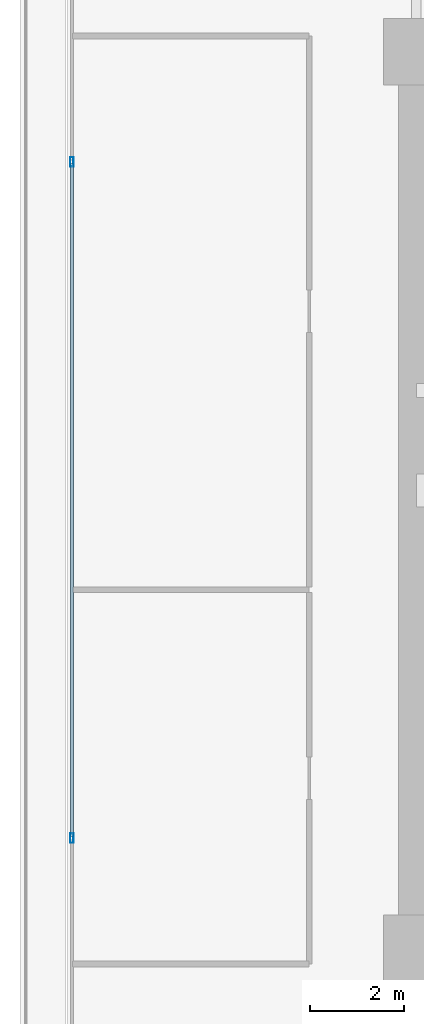
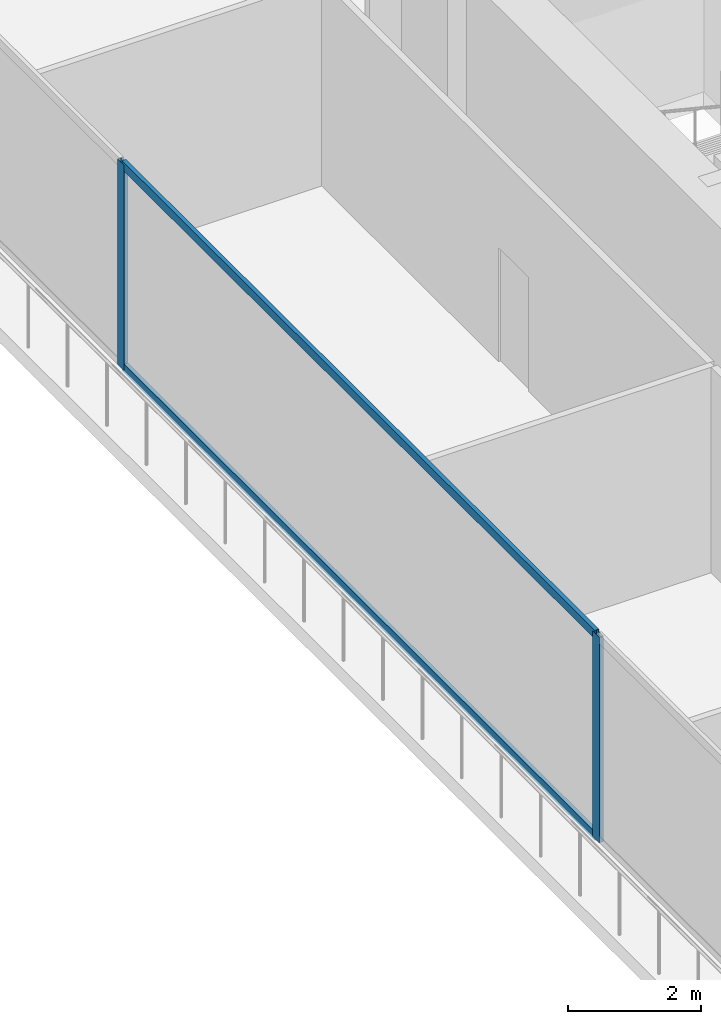
# One storey, part 6 of 36: 4 members, 1 element without a shape of its own.
"""IFC4 building model written with IfcOpenShell, lengths in metres."""

import ifcopenshell
import ifcopenshell.guid

model = None  # the IFC model being written
_history = None  # IfcOwnerHistory: only IFC2X3 demands one
_inside = {}  # id of a spatial element -> (the spatial element, [elements in it])
_under = {}  # id of a project, library or spatial element -> (it, [spatial elements below it])
_declared = {}  # id of a project -> (the project, [libraries it declares])
_typed = {}  # id of a type object -> (the type object, [elements of that type])
_made_of = {}  # id of a material, layer set ... -> (it, [elements and type objects made of it])


def new_model(schema):
    """Start an empty IFC model of exactly this schema.

    Asked for "IFC4X3", IfcOpenShell would pick the latest addendum, in which some entities
    have other attributes; the version numbers below select the first issue.
    IFC2X3 requires an IfcOwnerHistory on every rooted entity: one is made here for all.
    """
    global model, _history
    if schema == "IFC4X3":
        model = ifcopenshell.file(schema_version=(4, 3, 0, 0))
    else:
        model = ifcopenshell.file(schema=schema)
    _inside.clear()
    _under.clear()
    _declared.clear()
    _typed.clear()
    _made_of.clear()
    _history = None
    if model.schema == "IFC2X3":
        org = make("IfcOrganization", Name="unknown")
        user = make(
            "IfcPersonAndOrganization",
            ThePerson=make("IfcPerson", FamilyName="unknown"),
            TheOrganization=org,
        )
        app = make(
            "IfcApplication",
            ApplicationDeveloper=org,
            Version="unknown",
            ApplicationFullName="unknown",
            ApplicationIdentifier="unknown",
        )
        _history = make(
            "IfcOwnerHistory",
            OwningUser=user,
            OwningApplication=app,
            ChangeAction="ADDED",
            CreationDate=0,
        )
    return model


def make(cls, **values):
    """One entity of the class cls with the attributes given. An attribute that is None is left unset."""
    return model.create_entity(
        cls, **{name: value for name, value in values.items() if value is not None}
    )


def rooted(cls, **values):
    """An entity with a GlobalId (a new one), such as an element, a storey or a relation."""
    return make(cls, GlobalId=ifcopenshell.guid.new(), OwnerHistory=_history, **values)


def si_unit(unit_type, name, prefix=None):
    """IfcSIUnit, for example si_unit("LENGTHUNIT", "METRE", prefix="MILLI")."""
    return make("IfcSIUnit", UnitType=unit_type, Prefix=prefix, Name=name)


def assignment(units):
    """IfcUnitAssignment: the units of a project."""
    return None if units is None else make("IfcUnitAssignment", Units=units)


def point(xyz):
    """IfcCartesianPoint."""
    return None if xyz is None else make("IfcCartesianPoint", Coordinates=xyz)


def direction(xyz):
    """IfcDirection."""
    return None if xyz is None else make("IfcDirection", DirectionRatios=xyz)


def frame(location, z_axis=None, x_axis=None):
    """IfcAxis2Placement3D, a coordinate frame: its origin and axes. An axis left out is left unset."""
    return make(
        "IfcAxis2Placement3D",
        Location=point(location),
        Axis=direction(z_axis),
        RefDirection=direction(x_axis),
    )


def frame_2d(location, x_axis=None):
    """IfcAxis2Placement2D, a coordinate frame in the plane: its origin and x axis."""
    return make(
        "IfcAxis2Placement2D", Location=point(location), RefDirection=direction(x_axis)
    )


def origin():
    """The frame at (0, 0, 0) with its axes left unset."""
    return frame((0.0, 0.0, 0.0))


def origin_2d():
    """The frame at (0, 0) in the plane with its x axis left unset."""
    return frame_2d((0.0, 0.0))


def place(relative_to, where):
    """IfcLocalPlacement: puts the frame where relative to a parent placement (None: the world)."""
    return make(
        "IfcLocalPlacement", PlacementRelTo=relative_to, RelativePlacement=where
    )


def context(
    kind, dimensions, precision=None, world=None, true_north=None, identifier=None
):
    """IfcGeometricRepresentationContext, for example the 3D "Model" context."""
    return make(
        "IfcGeometricRepresentationContext",
        ContextIdentifier=identifier,
        ContextType=kind,
        CoordinateSpaceDimension=dimensions,
        Precision=precision,
        WorldCoordinateSystem=world,
        TrueNorth=true_north,
    )


def subcontext(parent, identifier, kind, view, scale=None):
    """IfcGeometricRepresentationSubContext, for example "Body" below "Model"."""
    return make(
        "IfcGeometricRepresentationSubContext",
        ContextIdentifier=identifier,
        ContextType=kind,
        ParentContext=parent,
        TargetScale=scale,
        TargetView=view,
    )


def project(units=None, contexts=None):
    """IfcProject with its units and contexts."""
    return rooted(
        "IfcProject",
        Name="project",
        RepresentationContexts=contexts,
        UnitsInContext=assignment(units),
    )


def spatial(cls, under=None, at=None, **own):
    """A site, building, storey or space (cls), placed at a placement, below another one or the project."""
    s = rooted(cls, ObjectPlacement=at, **own)
    if under is not None:
        _under.setdefault(under.id(), (under, []))[1].append(s)
    return s


def profile(cls, at=None, kind="AREA", **sizes):
    """A parametric profile (cls). Its sizes go by their IFC names, for example OverallWidth=200.0."""
    return make(cls, ProfileType=kind, Position=at, **sizes)


def hollow_rectangle(**sizes):
    """IfcRectangleHollowProfileDef."""
    return profile("IfcRectangleHollowProfileDef", **sizes)


def extrude(swept, where, along, depth):
    """IfcExtrudedAreaSolid: the profile swept, set in the frame where, extruded along a direction by depth."""
    return make(
        "IfcExtrudedAreaSolid",
        SweptArea=swept,
        Position=where,
        ExtrudedDirection=direction(along),
        Depth=depth,
    )


def shape(context_of_items, identifier, shape_type, items):
    """IfcShapeRepresentation: the items that make up one representation, for example the "Body"."""
    return make(
        "IfcShapeRepresentation",
        ContextOfItems=context_of_items,
        RepresentationIdentifier=identifier,
        RepresentationType=shape_type,
        Items=items,
    )


def source(mapping_origin, context_of_items, identifier, shape_type, items):
    """IfcRepresentationMap: a shape defined once, which mapped items show again and again."""
    return make(
        "IfcRepresentationMap",
        MappingOrigin=mapping_origin,
        MappedRepresentation=shape(context_of_items, identifier, shape_type, items),
    )


def transform(
    local_origin,
    x_axis=None,
    y_axis=None,
    z_axis=None,
    scale=None,
    scale2=None,
    scale3=None,
    uniform=True,
):
    """IfcCartesianTransformationOperator3D, or its non-uniform kind. x_axis, y_axis, z_axis: its Axis1, 2, 3."""
    if uniform:
        return make(
            "IfcCartesianTransformationOperator3D",
            Axis1=direction(x_axis),
            Axis2=direction(y_axis),
            LocalOrigin=point(local_origin),
            Scale=scale,
            Axis3=direction(z_axis),
        )
    return make(
        "IfcCartesianTransformationOperator3DnonUniform",
        Axis1=direction(x_axis),
        Axis2=direction(y_axis),
        LocalOrigin=point(local_origin),
        Scale=scale,
        Axis3=direction(z_axis),
        Scale2=scale2,
        Scale3=scale3,
    )


def mapped(mapping_source, mapping_target):
    """IfcMappedItem: shows the shape of a source again, moved by a transform."""
    return make(
        "IfcMappedItem", MappingSource=mapping_source, MappingTarget=mapping_target
    )


def material(Name=None, Category=None):
    """IfcMaterial."""
    return make("IfcMaterial", Name=Name, Category=Category)


def layer(
    of_material, thickness, ventilated=None, Name=None, Category=None, Priority=None
):
    """IfcMaterialLayer: one layer of a wall or slab, of a material (None: an air gap)."""
    return make(
        "IfcMaterialLayer",
        Material=of_material,
        LayerThickness=thickness,
        IsVentilated=ventilated,
        Name=Name,
        Category=Category,
        Priority=Priority,
    )


def layer_set(layers, Name=None):
    """IfcMaterialLayerSet."""
    return make("IfcMaterialLayerSet", MaterialLayers=layers, LayerSetName=Name)


def material_profile(
    of_material, cross_section, Name=None, Category=None, Priority=None
):
    """IfcMaterialProfile: a cross section and its material."""
    return make(
        "IfcMaterialProfile",
        Name=Name,
        Material=of_material,
        Profile=cross_section,
        Priority=Priority,
        Category=Category,
    )


def profile_set(profiles, Name=None, composite=None):
    """IfcMaterialProfileSet."""
    return make(
        "IfcMaterialProfileSet",
        Name=Name,
        MaterialProfiles=profiles,
        CompositeProfile=composite,
    )


def made_of(thing, what):
    """Note that an element or type object is made of a material, layer set ...; save() writes the relation."""
    if what is not None:
        _made_of.setdefault(what.id(), (what, []))[1].append(thing)
    return thing


def type_object(cls, material=None, **own):
    """A type object (cls), such as IfcWallType, which elements share."""
    return made_of(rooted(cls, **own), material)


def type_shapes(of_type, sources):
    """Give a type object the sources (RepresentationMaps) that its elements show as mapped items."""
    of_type.RepresentationMaps = sources


def element(
    cls,
    number,
    at=None,
    inside=None,
    cuts=None,
    type_object=None,
    material=None,
    context=None,
    identifier="Body",
    shape_type=None,
    held_by="IfcProductDefinitionShape",
    body=None,
    shapes=None,
    **own,
):
    """One element of the class cls, such as IfcWall. Its Tag is "e" and its number.

    at: its placement. inside: the storey or other place that contains it. cuts: it is an
    opening in that element (IfcRelVoidsElement). A single representation is given by context,
    identifier, shape_type and body (its items); several are given by shapes. held_by: the class
    of the entity that holds the representations. save() writes the other relations.
    """
    e = rooted(cls, Tag="e%d" % number, ObjectPlacement=at, **own)
    if body is not None:
        shapes = [shape(context, identifier, shape_type, body)]
    if shapes is not None:
        e.Representation = make(held_by, Representations=shapes)
    if inside is not None:
        _inside.setdefault(inside.id(), (inside, []))[1].append(e)
    if cuts is not None:
        rooted(
            "IfcRelVoidsElement", RelatingBuildingElement=cuts, RelatedOpeningElement=e
        )
    if type_object is not None:
        _typed.setdefault(type_object.id(), (type_object, []))[1].append(e)
    return made_of(e, material)


def aggregate(whole, parts):
    """IfcRelAggregates: a whole, such as a stair, and the parts it consists of."""
    return rooted("IfcRelAggregates", RelatingObject=whole, RelatedObjects=parts)


def save(model, path):
    """Write the relations noted so far, then the file.

    IfcRelAggregates (storeys below a building ...), IfcRelContainedInSpatialStructure (elements
    in a storey), IfcRelDefinesByType, IfcRelAssociatesMaterial and IfcRelDeclares: one each for
    every whole, place, type object, material and project.
    """
    for whole, parts in _under.values():
        aggregate(whole, parts)
    for where, things in _inside.values():
        rooted(
            "IfcRelContainedInSpatialStructure",
            RelatedElements=things,
            RelatingStructure=where,
        )
    for kind, things in _typed.values():
        rooted("IfcRelDefinesByType", RelatedObjects=things, RelatingType=kind)
    for what, things in _made_of.values():
        rooted("IfcRelAssociatesMaterial", RelatedObjects=things, RelatingMaterial=what)
    for by, libraries in _declared.values():
        rooted("IfcRelDeclares", RelatingContext=by, RelatedDefinitions=libraries)
    model.write(path)


model = new_model("IFC4")

# Units and contexts
model_context = context("Model", 3, precision=1e-05, world=origin(), true_north=direction((0.0, 1.0)))
body_context = subcontext(model_context, "Body", "Model", "MODEL_VIEW")
ifc_project = project(units=[si_unit("LENGTHUNIT", "METRE"), si_unit("AREAUNIT", "SQUARE_METRE"), si_unit("VOLUMEUNIT", "CUBIC_METRE"), si_unit("PLANEANGLEUNIT", "RADIAN"), si_unit("MASSUNIT", "GRAM", prefix="KILO")], contexts=[model_context])

# Site, building, storey
site_placement = place(None, origin())
site = spatial("IfcSite", under=ifc_project, at=site_placement, CompositionType="ELEMENT")
building_placement = place(site_placement, origin())
building = spatial("IfcBuilding", under=site, at=building_placement, Name="Haelvirn Gate Laboratories", CompositionType="ELEMENT")
storey_placement = place(building_placement, frame((0.0, 0.0, 25.199951171875)))
storey = spatial("IfcBuildingStorey", under=building, at=storey_placement, Name="L06", CompositionType="ELEMENT", Elevation=25.199951171875)

# Curtain wall, members
ifc_material_1 = material(Name="Anodised bronze unitised aluminium & triple low-E glass", Category="aluminium")
ifc_layer = layer(ifc_material_1, 0.18408203125, Name="CW-SYS-2")
ifc_layer_set = layer_set([ifc_layer], Name="Anodised bronze unitised aluminium & triple low-E glass")
curtain_wall_type = type_object("IfcCurtainWallType", Name="CW-SYS-2", PredefinedType="NOTDEFINED", material=ifc_layer_set)
curtain_wall_placement = place(storey_placement, origin())
curtain_wall = element("IfcCurtainWall", 1, at=curtain_wall_placement, inside=storey, type_object=curtain_wall_type, Name="L06 Unitised Curtain Wall CW-L06-P0-E17", PredefinedType="NOTDEFINED")
ifc_material_2 = material(Name="Extruded aluminium 6063-T6 (anodised bronze)", Category="aluminium")
ifc_material_profile_1 = material_profile(ifc_material_2, hollow_rectangle(XDim=0.074951171875, YDim=0.199951171875, WallThickness=0.0048828125, at=origin_2d()), Name="CWM-200x75x5")
ifc_profile_set_1 = profile_set([ifc_material_profile_1], Name="Extruded aluminium 6063-T6 (anodised bronze)")
member_type_1 = type_object("IfcMemberType", Name="CWM-T200", PredefinedType="MULLION", material=ifc_profile_set_1)
shared_shape_1 = source(origin(), body_context, "Body", "SweptSolid", [
    extrude(hollow_rectangle(XDim=0.074951171875, YDim=0.199951171875, WallThickness=0.0048828125, at=origin_2d()), origin(), (0.0, 0.0, 1.0), 3.780029296875),
])
type_shapes(member_type_1, [shared_shape_1])
member_1_placement = place(storey_placement, frame((0.10009765625, 31.466552734375, 0.0), z_axis=(0.0, 0.0, 1.0), x_axis=(1.0, 0.0, 0.0)))
member_1 = element("IfcMember", 2, at=member_1_placement, type_object=member_type_1, Name="CW2 mullion 2", PredefinedType="MULLION", context=body_context, shape_type="MappedRepresentation", body=[
    mapped(shared_shape_1, transform((0.0, 0.0, 0.0), scale=1.0)),
])
member_2_placement = place(storey_placement, frame((0.10009765625, 17.13330078125, 0.0), z_axis=(0.0, 0.0, 1.0), x_axis=(1.0, 0.0, 0.0)))
member_2 = element("IfcMember", 3, at=member_2_placement, type_object=member_type_1, Name="CW2 mullion 3", PredefinedType="MULLION", context=body_context, shape_type="MappedRepresentation", body=[
    mapped(shared_shape_1, transform((0.0, 0.0, 0.0), scale=1.0)),
])
ifc_material_profile_2 = material_profile(ifc_material_2, hollow_rectangle(XDim=0.070068359375, YDim=0.159912109375, WallThickness=0.0048828125, at=origin_2d()), Name="CWT-160x70x5")
ifc_profile_set_2 = profile_set([ifc_material_profile_2], Name="Extruded aluminium 6063-T6 (anodised bronze)")
member_type_2 = type_object("IfcMemberType", Name="CWT-T160", PredefinedType="USERDEFINED", material=ifc_profile_set_2)
shared_shape_2 = source(origin(), body_context, "Body", "SweptSolid", [
    extrude(hollow_rectangle(XDim=0.070068359375, YDim=0.159912109375, WallThickness=0.0048828125, at=origin_2d()), origin(), (0.0, 0.0, 1.0), 14.25830078125),
])
type_shapes(member_type_2, [shared_shape_2])
member_3_placement = place(storey_placement, frame((0.10009765625, 31.42919921875, 0.03515625), z_axis=(0.0, -1.0, 0.0), x_axis=(1.0, 0.0, 0.0)))
member_3 = element("IfcMember", 4, at=member_3_placement, type_object=member_type_2, Name="CW2 transom 2.1", ObjectType="TRANSOM", PredefinedType="USERDEFINED", context=body_context, shape_type="MappedRepresentation", body=[
    mapped(shared_shape_2, transform((0.0, 0.0, 0.0), scale=1.0)),
])
member_4_placement = place(storey_placement, frame((0.10009765625, 31.42919921875, 3.7451171875), z_axis=(0.0, -1.0, 0.0), x_axis=(1.0, 0.0, 0.0)))
member_4 = element("IfcMember", 5, at=member_4_placement, type_object=member_type_2, Name="CW2 transom 2.2", ObjectType="TRANSOM", PredefinedType="USERDEFINED", context=body_context, shape_type="MappedRepresentation", body=[
    mapped(shared_shape_2, transform((0.0, 0.0, 0.0), scale=1.0)),
])
aggregate(curtain_wall, [member_1, member_2, member_3, member_4])

save(model, "model.ifc")
